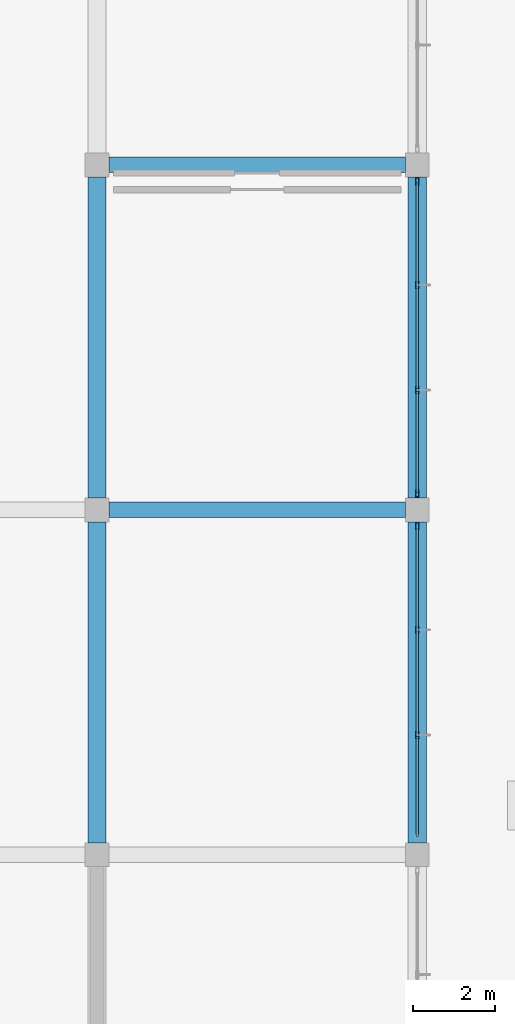
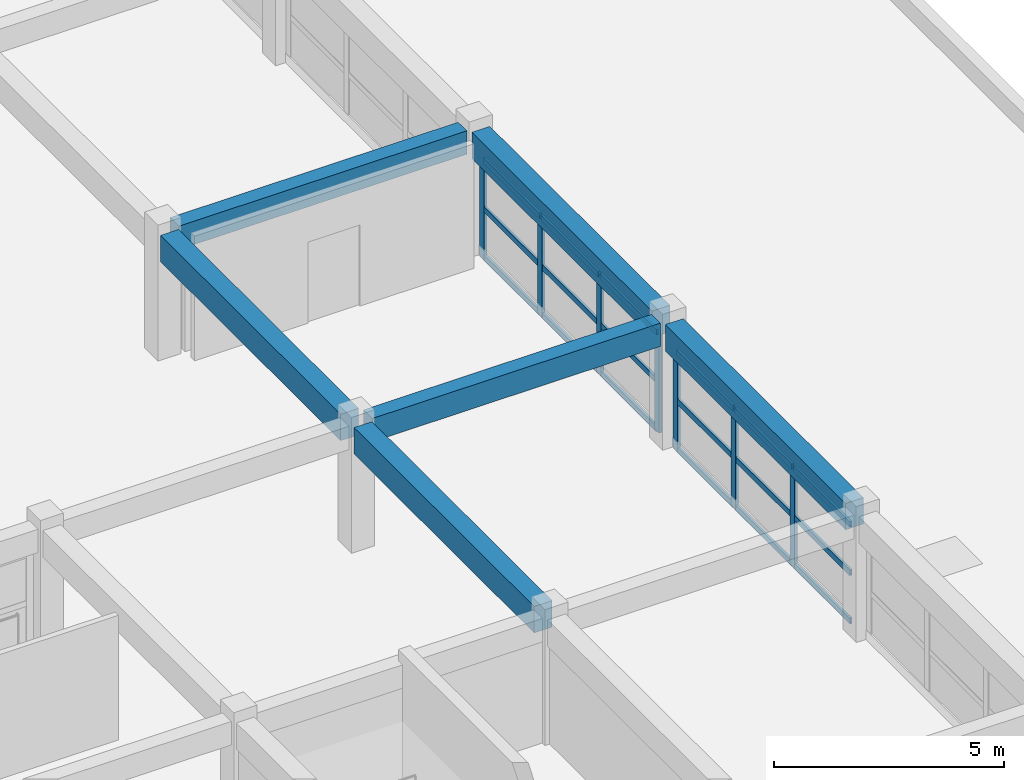
# One storey, part 63 of 101: 25 members, 6 beams, 2 elements without a shape of their own.
"""IFC4 building model written with IfcOpenShell, lengths in metres."""

from ifc_helpers import new_model, si_unit, direction, frame, origin, origin_2d, place, context, subcontext, project, spatial, rectangle, hollow_rectangle, extrude, material, layer, layer_set, material_profile, profile_set, type_object, element, aggregate, save


model = new_model("IFC4")

# Units and contexts
model_context = context("Model", 3, precision=1e-05, world=origin(), true_north=direction((0.0, 1.0)))
body_context = subcontext(model_context, "Body", "Model", "MODEL_VIEW")
ifc_project = project(units=[si_unit("LENGTHUNIT", "METRE"), si_unit("AREAUNIT", "SQUARE_METRE"), si_unit("VOLUMEUNIT", "CUBIC_METRE"), si_unit("PLANEANGLEUNIT", "RADIAN"), si_unit("MASSUNIT", "GRAM", prefix="KILO")], contexts=[model_context])

# Site, building, storey
site_placement = place(None, origin())
site = spatial("IfcSite", under=ifc_project, at=site_placement, CompositionType="ELEMENT")
building_placement = place(site_placement, origin())
building = spatial("IfcBuilding", under=site, at=building_placement, Name="Zizhar Promenade General Hospital", CompositionType="ELEMENT")
storey_placement = place(building_placement, frame((0.0, 0.0, 14.39990234375)))
storey = spatial("IfcBuildingStorey", under=building, at=storey_placement, Name="L03", CompositionType="ELEMENT", Elevation=14.39990234375)

# Beams
ifc_material_1 = material(Name="Concrete C35/45", Category="concrete")
ifc_material_profile_1 = material_profile(ifc_material_1, rectangle(XDim=0.3798828125, YDim=0.6201171875, at=origin_2d()))
ifc_profile_set_1 = profile_set([ifc_material_profile_1], Name="Concrete C35/45")
beam_type_1 = type_object("IfcBeamType", Name="BM-RC-380x620", PredefinedType="JOIST", material=ifc_profile_set_1)
for number, where, z_axis, x_axis, name in (
    (1, (179.68994140625, 67.199951171875, 3.0), (1.0, 0.0, 0.0), (0.0, 1.0, 0.0), "Grid Beam X L03 (23-8)"),
    (2, (179.68994140625, 75.60009765625, 3.0), (1.0, 0.0, 0.0), (0.0, 1.0, 0.0), "Grid Beam X L03 (23-9)"),
):
    element("IfcBeam", number, at=place(storey_placement, frame(where, z_axis=z_axis, x_axis=x_axis)), inside=storey, type_object=beam_type_1, Name=name, PredefinedType="JOIST", context=body_context, shape_type="SweptSolid", body=[
        extrude(rectangle(XDim=0.3798828125, YDim=0.6201171875, at=origin_2d()), origin(), (0.0, 0.0, 1.0), 7.219970703125),
    ])
ifc_material_2 = material(Name="Concrete C35/45", Category="concrete")
ifc_material_profile_2 = material_profile(ifc_material_2, rectangle(XDim=0.449951171875, YDim=0.699951171875, at=origin_2d()))
ifc_profile_set_2 = profile_set([ifc_material_profile_2], Name="Concrete C35/45")
beam_type_2 = type_object("IfcBeamType", Name="BM-RC-450x700", PredefinedType="BEAM", material=ifc_profile_set_2)
beam_1_placement = place(storey_placement, frame((179.39990234375, 59.090087890625, 2.960205078125), z_axis=(0.0, 1.0, 0.0), x_axis=(-1.0, 0.0, 0.0)))
element("IfcBeam", 3, at=beam_1_placement, inside=storey, type_object=beam_type_2, Name="Grid Beam Y L03 (23-7)", PredefinedType="BEAM", context=body_context, shape_type="SweptSolid", body=[
    extrude(rectangle(XDim=0.449951171875, YDim=0.699951171875, at=origin_2d()), origin(), (0.0, 0.0, 1.0), 7.81982421875),
])
beam_2_placement = place(storey_placement, frame((179.39990234375, 67.489990234375, 2.960205078125), z_axis=(0.0, 1.0, 0.0), x_axis=(-1.0, 0.0, 0.0)))
element("IfcBeam", 4, at=beam_2_placement, inside=storey, type_object=beam_type_2, Name="Grid Beam Y L03 (23-8)", PredefinedType="BEAM", context=body_context, shape_type="SweptSolid", body=[
    extrude(rectangle(XDim=0.449951171875, YDim=0.699951171875, at=origin_2d()), origin(), (0.0, 0.0, 1.0), 7.820068359375),
])
beam_3_placement = place(storey_placement, frame((187.199951171875, 59.090087890625, 2.960205078125), z_axis=(0.0, 1.0, 0.0), x_axis=(-1.0, 0.0, 0.0)))
element("IfcBeam", 5, at=beam_3_placement, inside=storey, type_object=beam_type_2, Name="Grid Beam Y L03 (24-7)", PredefinedType="BEAM", context=body_context, shape_type="SweptSolid", body=[
    extrude(rectangle(XDim=0.449951171875, YDim=0.699951171875, at=origin_2d()), origin(), (0.0, 0.0, 1.0), 7.81982421875),
])
beam_4_placement = place(storey_placement, frame((187.199951171875, 67.489990234375, 2.960205078125), z_axis=(0.0, 1.0, 0.0), x_axis=(-1.0, 0.0, 0.0)))
element("IfcBeam", 6, at=beam_4_placement, inside=storey, type_object=beam_type_2, Name="Grid Beam Y L03 (24-8)", PredefinedType="BEAM", context=body_context, shape_type="SweptSolid", body=[
    extrude(rectangle(XDim=0.449951171875, YDim=0.699951171875, at=origin_2d()), origin(), (0.0, 0.0, 1.0), 7.820068359375),
])

# Curtain wall, members
ifc_material_3 = material(Name="Anodised aluminium 6063-T6 and low-E glass", Category="aluminium")
ifc_layer = layer(ifc_material_3, 0.159912109375)
ifc_layer_set = layer_set([ifc_layer], Name="Anodised aluminium 6063-T6 and low-E glass")
curtain_wall_type = type_object("IfcCurtainWallType", Name="CW-CLN-L03", PredefinedType="NOTDEFINED", material=ifc_layer_set)
curtain_wall_1_placement = place(storey_placement, origin())
curtain_wall_1 = element("IfcCurtainWall", 7, at=curtain_wall_1_placement, inside=storey, type_object=curtain_wall_type, Name="L03 Clinic Pavilion East Glazing 7", PredefinedType="NOTDEFINED")
ifc_material_4 = material(Name="Anodised aluminium 6063-T6", Category="aluminium")
ifc_material_profile_3 = material_profile(ifc_material_4, hollow_rectangle(XDim=0.080078125, YDim=0.179931640625, WallThickness=0.0048828125, at=origin_2d()))
ifc_profile_set_3 = profile_set([ifc_material_profile_3], Name="Anodised aluminium 6063-T6")
member_type_1 = type_object("IfcMemberType", Name="CWM-ALU-180x80", PredefinedType="MULLION", material=ifc_profile_set_3)
member_1_placement = place(storey_placement, frame((187.199951171875, 66.800048828125, 0.0), z_axis=(0.0, 0.0, 1.0), x_axis=(1.0, 0.0, 0.0)))
member_1 = element("IfcMember", 8, at=member_1_placement, type_object=member_type_1, Name="CW-11 mullion 1", PredefinedType="MULLION", context=body_context, shape_type="SweptSolid", body=[
    extrude(hollow_rectangle(XDim=0.080078125, YDim=0.179931640625, WallThickness=0.0048828125, at=origin_2d()), origin(), (0.0, 0.0, 1.0), 2.6201171875),
])
member_2_placement = place(storey_placement, frame((187.199951171875, 64.280029296875, 0.0), z_axis=(0.0, 0.0, 1.0), x_axis=(1.0, 0.0, 0.0)))
member_2 = element("IfcMember", 9, at=member_2_placement, type_object=member_type_1, Name="CW-11 mullion 2", PredefinedType="MULLION", context=body_context, shape_type="SweptSolid", body=[
    extrude(hollow_rectangle(XDim=0.080078125, YDim=0.179931640625, WallThickness=0.0048828125, at=origin_2d()), origin(), (0.0, 0.0, 1.0), 2.6201171875),
])
member_3_placement = place(storey_placement, frame((187.199951171875, 61.719970703125, 0.0), z_axis=(0.0, 0.0, 1.0), x_axis=(1.0, 0.0, 0.0)))
member_3 = element("IfcMember", 10, at=member_3_placement, type_object=member_type_1, Name="CW-11 mullion 3", PredefinedType="MULLION", context=body_context, shape_type="SweptSolid", body=[
    extrude(hollow_rectangle(XDim=0.080078125, YDim=0.179931640625, WallThickness=0.0048828125, at=origin_2d()), origin(), (0.0, 0.0, 1.0), 2.6201171875),
])

curtain_wall_2_placement = place(storey_placement, origin())
curtain_wall_2 = element("IfcCurtainWall", 11, at=curtain_wall_2_placement, inside=storey, type_object=curtain_wall_type, Name="L03 Clinic Pavilion East Glazing 8", PredefinedType="NOTDEFINED")
member_4_placement = place(storey_placement, frame((187.199951171875, 75.199951171875, 0.0), z_axis=(0.0, 0.0, 1.0), x_axis=(1.0, 0.0, 0.0)))
member_4 = element("IfcMember", 12, at=member_4_placement, type_object=member_type_1, Name="CW-11 mullion 1", PredefinedType="MULLION", context=body_context, shape_type="SweptSolid", body=[
    extrude(hollow_rectangle(XDim=0.080078125, YDim=0.179931640625, WallThickness=0.0048828125, at=origin_2d()), origin(), (0.0, 0.0, 1.0), 2.6201171875),
])
member_5_placement = place(storey_placement, frame((187.199951171875, 72.679931640625, 0.0), z_axis=(0.0, 0.0, 1.0), x_axis=(1.0, 0.0, 0.0)))
member_5 = element("IfcMember", 13, at=member_5_placement, type_object=member_type_1, Name="CW-11 mullion 2", PredefinedType="MULLION", context=body_context, shape_type="SweptSolid", body=[
    extrude(hollow_rectangle(XDim=0.080078125, YDim=0.179931640625, WallThickness=0.0048828125, at=origin_2d()), origin(), (0.0, 0.0, 1.0), 2.6201171875),
])
member_6_placement = place(storey_placement, frame((187.199951171875, 70.1201171875, 0.0), z_axis=(0.0, 0.0, 1.0), x_axis=(1.0, 0.0, 0.0)))
member_6 = element("IfcMember", 14, at=member_6_placement, type_object=member_type_1, Name="CW-11 mullion 3", PredefinedType="MULLION", context=body_context, shape_type="SweptSolid", body=[
    extrude(hollow_rectangle(XDim=0.080078125, YDim=0.179931640625, WallThickness=0.0048828125, at=origin_2d()), origin(), (0.0, 0.0, 1.0), 2.6201171875),
])
member_7_placement = place(storey_placement, frame((187.199951171875, 67.60009765625, 0.0), z_axis=(0.0, 0.0, 1.0), x_axis=(1.0, 0.0, 0.0)))
member_7 = element("IfcMember", 15, at=member_7_placement, type_object=member_type_1, Name="CW-11 mullion 4", PredefinedType="MULLION", context=body_context, shape_type="SweptSolid", body=[
    extrude(hollow_rectangle(XDim=0.080078125, YDim=0.179931640625, WallThickness=0.0048828125, at=origin_2d()), origin(), (0.0, 0.0, 1.0), 2.6201171875),
])

# Member
ifc_material_5 = material(Name="Anodised aluminium 6063-T6", Category="aluminium")
ifc_material_profile_4 = material_profile(ifc_material_5, hollow_rectangle(XDim=0.06005859375, YDim=0.14990234375, WallThickness=0.00390625, at=origin_2d()))
ifc_profile_set_4 = profile_set([ifc_material_profile_4], Name="Anodised aluminium 6063-T6")
member_type_2 = type_object("IfcMemberType", Name="CWT-ALU-150x60", PredefinedType="USERDEFINED", material=ifc_profile_set_4)
member_8_placement = place(storey_placement, frame((187.199951171875, 66.760009765625, 0.030029296875), z_axis=(0.0, -1.0, 0.0), x_axis=(1.0, 0.0, 0.0)))
member_8 = element("IfcMember", 16, at=member_8_placement, type_object=member_type_2, Name="CW-11 transom 1.1", ObjectType="TRANSOM", PredefinedType="USERDEFINED", context=body_context, shape_type="SweptSolid", body=[
    extrude(hollow_rectangle(XDim=0.06005859375, YDim=0.14990234375, WallThickness=0.00390625, at=origin_2d()), origin(), (0.0, 0.0, 1.0), 2.43994140625),
])

member_9_placement = place(storey_placement, frame((187.199951171875, 66.760009765625, 1.31005859375), z_axis=(0.0, -1.0, 0.0), x_axis=(1.0, 0.0, 0.0)))
member_9 = element("IfcMember", 17, at=member_9_placement, type_object=member_type_2, Name="CW-11 transom 1.2", ObjectType="TRANSOM", PredefinedType="USERDEFINED", context=body_context, shape_type="SweptSolid", body=[
    extrude(hollow_rectangle(XDim=0.06005859375, YDim=0.14990234375, WallThickness=0.00390625, at=origin_2d()), origin(), (0.0, 0.0, 1.0), 2.43994140625),
])

member_10_placement = place(storey_placement, frame((187.199951171875, 66.760009765625, 2.590087890625), z_axis=(0.0, -1.0, 0.0), x_axis=(1.0, 0.0, 0.0)))
member_10 = element("IfcMember", 18, at=member_10_placement, type_object=member_type_2, Name="CW-11 transom 1.3", ObjectType="TRANSOM", PredefinedType="USERDEFINED", context=body_context, shape_type="SweptSolid", body=[
    extrude(hollow_rectangle(XDim=0.06005859375, YDim=0.14990234375, WallThickness=0.00390625, at=origin_2d()), origin(), (0.0, 0.0, 1.0), 2.43994140625),
])

member_11_placement = place(storey_placement, frame((187.199951171875, 64.239990234375, 0.030029296875), z_axis=(0.0, -1.0, 0.0), x_axis=(1.0, 0.0, 0.0)))
member_11 = element("IfcMember", 19, at=member_11_placement, type_object=member_type_2, Name="CW-11 transom 2.1", ObjectType="TRANSOM", PredefinedType="USERDEFINED", context=body_context, shape_type="SweptSolid", body=[
    extrude(hollow_rectangle(XDim=0.06005859375, YDim=0.14990234375, WallThickness=0.00390625, at=origin_2d()), origin(), (0.0, 0.0, 1.0), 2.47998046875),
])

member_12_placement = place(storey_placement, frame((187.199951171875, 64.239990234375, 1.31005859375), z_axis=(0.0, -1.0, 0.0), x_axis=(1.0, 0.0, 0.0)))
member_12 = element("IfcMember", 20, at=member_12_placement, type_object=member_type_2, Name="CW-11 transom 2.2", ObjectType="TRANSOM", PredefinedType="USERDEFINED", context=body_context, shape_type="SweptSolid", body=[
    extrude(hollow_rectangle(XDim=0.06005859375, YDim=0.14990234375, WallThickness=0.00390625, at=origin_2d()), origin(), (0.0, 0.0, 1.0), 2.47998046875),
])

member_13_placement = place(storey_placement, frame((187.199951171875, 64.239990234375, 2.590087890625), z_axis=(0.0, -1.0, 0.0), x_axis=(1.0, 0.0, 0.0)))
member_13 = element("IfcMember", 21, at=member_13_placement, type_object=member_type_2, Name="CW-11 transom 2.3", ObjectType="TRANSOM", PredefinedType="USERDEFINED", context=body_context, shape_type="SweptSolid", body=[
    extrude(hollow_rectangle(XDim=0.06005859375, YDim=0.14990234375, WallThickness=0.00390625, at=origin_2d()), origin(), (0.0, 0.0, 1.0), 2.47998046875),
])

member_14_placement = place(storey_placement, frame((187.199951171875, 61.679931640625, 0.030029296875), z_axis=(0.0, -1.0, 0.0), x_axis=(1.0, 0.0, 0.0)))
member_14 = element("IfcMember", 22, at=member_14_placement, type_object=member_type_2, Name="CW-11 transom 3.1", ObjectType="TRANSOM", PredefinedType="USERDEFINED", context=body_context, shape_type="SweptSolid", body=[
    extrude(hollow_rectangle(XDim=0.06005859375, YDim=0.14990234375, WallThickness=0.00390625, at=origin_2d()), origin(), (0.0, 0.0, 1.0), 2.43994140625),
])

member_15_placement = place(storey_placement, frame((187.199951171875, 61.679931640625, 1.31005859375), z_axis=(0.0, -1.0, 0.0), x_axis=(1.0, 0.0, 0.0)))
member_15 = element("IfcMember", 23, at=member_15_placement, type_object=member_type_2, Name="CW-11 transom 3.2", ObjectType="TRANSOM", PredefinedType="USERDEFINED", context=body_context, shape_type="SweptSolid", body=[
    extrude(hollow_rectangle(XDim=0.06005859375, YDim=0.14990234375, WallThickness=0.00390625, at=origin_2d()), origin(), (0.0, 0.0, 1.0), 2.43994140625),
])

member_16_placement = place(storey_placement, frame((187.199951171875, 61.679931640625, 2.590087890625), z_axis=(0.0, -1.0, 0.0), x_axis=(1.0, 0.0, 0.0)))
member_16 = element("IfcMember", 24, at=member_16_placement, type_object=member_type_2, Name="CW-11 transom 3.3", ObjectType="TRANSOM", PredefinedType="USERDEFINED", context=body_context, shape_type="SweptSolid", body=[
    extrude(hollow_rectangle(XDim=0.06005859375, YDim=0.14990234375, WallThickness=0.00390625, at=origin_2d()), origin(), (0.0, 0.0, 1.0), 2.43994140625),
])

aggregate(curtain_wall_1, [member_1, member_2, member_3, member_8, member_9, member_10, member_11, member_12, member_13, member_14, member_15, member_16])

member_17_placement = place(storey_placement, frame((187.199951171875, 75.159912109375, 0.030029296875), z_axis=(0.0, -1.0, 0.0), x_axis=(1.0, 0.0, 0.0)))
member_17 = element("IfcMember", 25, at=member_17_placement, type_object=member_type_2, Name="CW-11 transom 1.1", ObjectType="TRANSOM", PredefinedType="USERDEFINED", context=body_context, shape_type="SweptSolid", body=[
    extrude(hollow_rectangle(XDim=0.06005859375, YDim=0.14990234375, WallThickness=0.00390625, at=origin_2d()), origin(), (0.0, 0.0, 1.0), 2.43994140625),
])

member_18_placement = place(storey_placement, frame((187.199951171875, 75.159912109375, 1.31005859375), z_axis=(0.0, -1.0, 0.0), x_axis=(1.0, 0.0, 0.0)))
member_18 = element("IfcMember", 26, at=member_18_placement, type_object=member_type_2, Name="CW-11 transom 1.2", ObjectType="TRANSOM", PredefinedType="USERDEFINED", context=body_context, shape_type="SweptSolid", body=[
    extrude(hollow_rectangle(XDim=0.06005859375, YDim=0.14990234375, WallThickness=0.00390625, at=origin_2d()), origin(), (0.0, 0.0, 1.0), 2.43994140625),
])

member_19_placement = place(storey_placement, frame((187.199951171875, 75.159912109375, 2.590087890625), z_axis=(0.0, -1.0, 0.0), x_axis=(1.0, 0.0, 0.0)))
member_19 = element("IfcMember", 27, at=member_19_placement, type_object=member_type_2, Name="CW-11 transom 1.3", ObjectType="TRANSOM", PredefinedType="USERDEFINED", context=body_context, shape_type="SweptSolid", body=[
    extrude(hollow_rectangle(XDim=0.06005859375, YDim=0.14990234375, WallThickness=0.00390625, at=origin_2d()), origin(), (0.0, 0.0, 1.0), 2.43994140625),
])

member_20_placement = place(storey_placement, frame((187.199951171875, 72.639892578125, 0.030029296875), z_axis=(0.0, -1.0, 0.0), x_axis=(1.0, 0.0, 0.0)))
member_20 = element("IfcMember", 28, at=member_20_placement, type_object=member_type_2, Name="CW-11 transom 2.1", ObjectType="TRANSOM", PredefinedType="USERDEFINED", context=body_context, shape_type="SweptSolid", body=[
    extrude(hollow_rectangle(XDim=0.06005859375, YDim=0.14990234375, WallThickness=0.00390625, at=origin_2d()), origin(), (0.0, 0.0, 1.0), 2.47998046875),
])

member_21_placement = place(storey_placement, frame((187.199951171875, 72.639892578125, 1.31005859375), z_axis=(0.0, -1.0, 0.0), x_axis=(1.0, 0.0, 0.0)))
member_21 = element("IfcMember", 29, at=member_21_placement, type_object=member_type_2, Name="CW-11 transom 2.2", ObjectType="TRANSOM", PredefinedType="USERDEFINED", context=body_context, shape_type="SweptSolid", body=[
    extrude(hollow_rectangle(XDim=0.06005859375, YDim=0.14990234375, WallThickness=0.00390625, at=origin_2d()), origin(), (0.0, 0.0, 1.0), 2.47998046875),
])

member_22_placement = place(storey_placement, frame((187.199951171875, 72.639892578125, 2.590087890625), z_axis=(0.0, -1.0, 0.0), x_axis=(1.0, 0.0, 0.0)))
member_22 = element("IfcMember", 30, at=member_22_placement, type_object=member_type_2, Name="CW-11 transom 2.3", ObjectType="TRANSOM", PredefinedType="USERDEFINED", context=body_context, shape_type="SweptSolid", body=[
    extrude(hollow_rectangle(XDim=0.06005859375, YDim=0.14990234375, WallThickness=0.00390625, at=origin_2d()), origin(), (0.0, 0.0, 1.0), 2.47998046875),
])

member_23_placement = place(storey_placement, frame((187.199951171875, 70.080078125, 0.030029296875), z_axis=(0.0, -1.0, 0.0), x_axis=(1.0, 0.0, 0.0)))
member_23 = element("IfcMember", 31, at=member_23_placement, type_object=member_type_2, Name="CW-11 transom 3.1", ObjectType="TRANSOM", PredefinedType="USERDEFINED", context=body_context, shape_type="SweptSolid", body=[
    extrude(hollow_rectangle(XDim=0.06005859375, YDim=0.14990234375, WallThickness=0.00390625, at=origin_2d()), origin(), (0.0, 0.0, 1.0), 2.440185546875),
])

member_24_placement = place(storey_placement, frame((187.199951171875, 70.080078125, 1.31005859375), z_axis=(0.0, -1.0, 0.0), x_axis=(1.0, 0.0, 0.0)))
member_24 = element("IfcMember", 32, at=member_24_placement, type_object=member_type_2, Name="CW-11 transom 3.2", ObjectType="TRANSOM", PredefinedType="USERDEFINED", context=body_context, shape_type="SweptSolid", body=[
    extrude(hollow_rectangle(XDim=0.06005859375, YDim=0.14990234375, WallThickness=0.00390625, at=origin_2d()), origin(), (0.0, 0.0, 1.0), 2.440185546875),
])

member_25_placement = place(storey_placement, frame((187.199951171875, 70.080078125, 2.590087890625), z_axis=(0.0, -1.0, 0.0), x_axis=(1.0, 0.0, 0.0)))
member_25 = element("IfcMember", 33, at=member_25_placement, type_object=member_type_2, Name="CW-11 transom 3.3", ObjectType="TRANSOM", PredefinedType="USERDEFINED", context=body_context, shape_type="SweptSolid", body=[
    extrude(hollow_rectangle(XDim=0.06005859375, YDim=0.14990234375, WallThickness=0.00390625, at=origin_2d()), origin(), (0.0, 0.0, 1.0), 2.440185546875),
])

aggregate(curtain_wall_2, [member_4, member_5, member_6, member_7, member_17, member_18, member_19, member_20, member_21, member_22, member_23, member_24, member_25])

save(model, "model.ifc")
